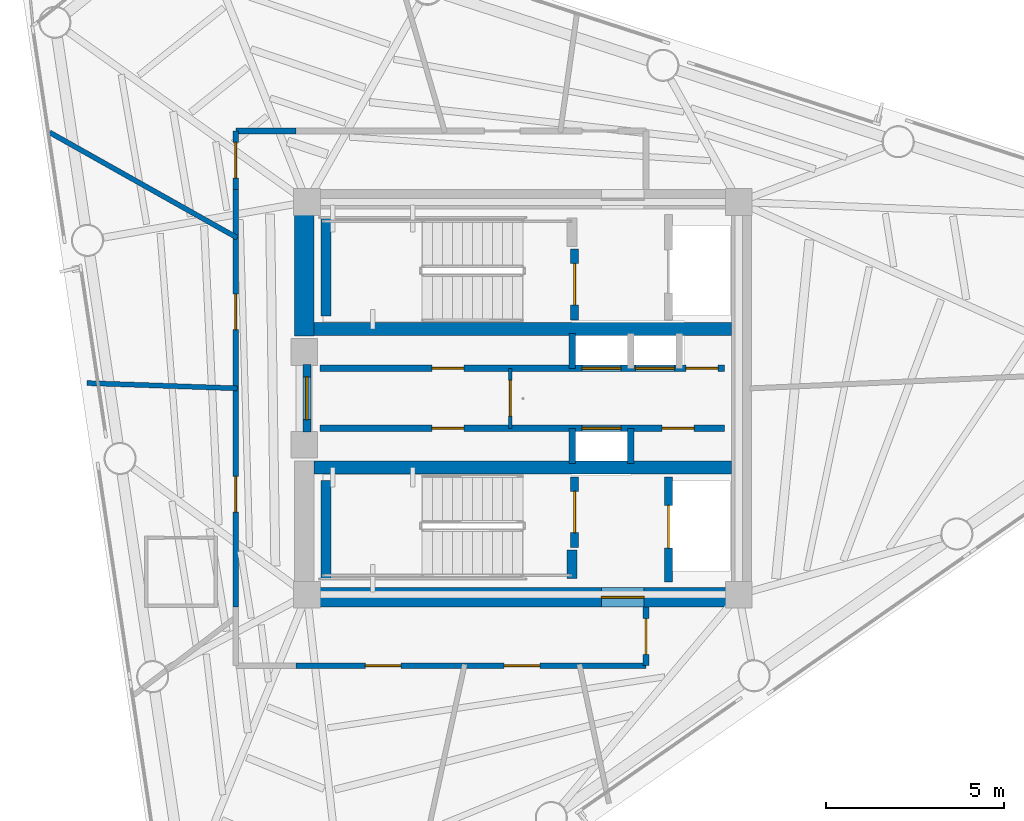
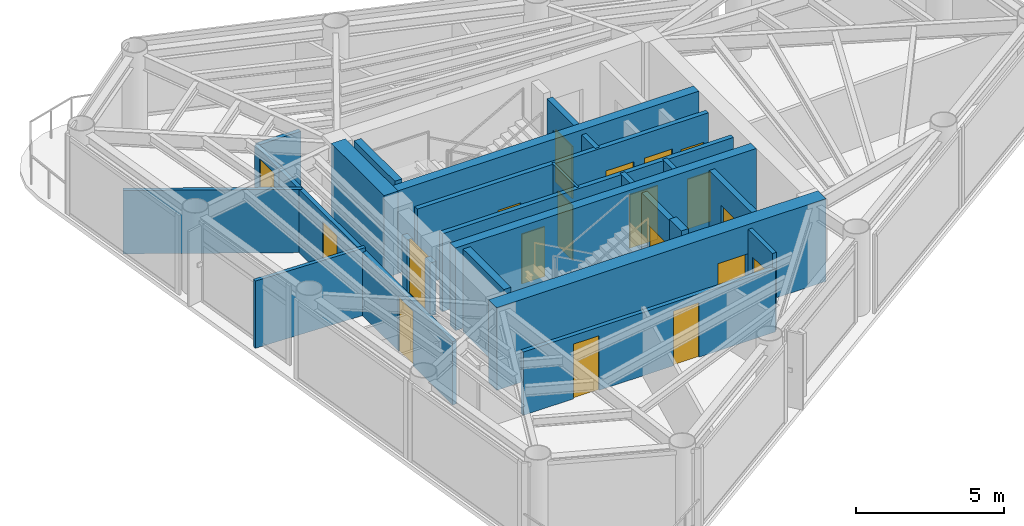
# One storey, part 5 of 9: 24 walls, 19 doors, 19 openings.
"""IFC4 building model written with IfcOpenShell, lengths in metres."""

from ifc_helpers import new_model, si_unit, direction, frame, frame_2d, origin, place, context, subcontext, project, spatial, rectangle, extrude, material, layer, layer_set, type_object, element, fill, save


model = new_model("IFC4")

# Units and contexts
model_context = context("Model", 3, precision=1e-05, world=origin(), true_north=direction((0.0, 1.0)))
body_context = subcontext(model_context, "Body", "Model", "MODEL_VIEW")
ifc_project = project(units=[si_unit("LENGTHUNIT", "METRE"), si_unit("AREAUNIT", "SQUARE_METRE"), si_unit("VOLUMEUNIT", "CUBIC_METRE"), si_unit("PLANEANGLEUNIT", "RADIAN"), si_unit("MASSUNIT", "GRAM", prefix="KILO")], contexts=[model_context])

# Site, building, storey
site_placement = place(None, origin())
site = spatial("IfcSite", under=ifc_project, at=site_placement, CompositionType="ELEMENT")
building_placement = place(site_placement, origin())
building = spatial("IfcBuilding", under=site, at=building_placement, Name="Yunling Apex Tower", CompositionType="ELEMENT")
storey_placement = place(building_placement, frame((0.0, 0.0, 264.35009765625)))
storey = spatial("IfcBuildingStorey", under=building, at=storey_placement, Name="L64", CompositionType="ELEMENT", Elevation=264.35009765625)

# Wall, opening, door
ifc_material_1 = material(Name="Concrete C40", Category="concrete")
ifc_layer_1 = layer(ifc_material_1, 0.550048828125)
ifc_layer_set_1 = layer_set([ifc_layer_1], Name="Concrete C40")
wall_type_1 = type_object("IfcWallType", Name="WL-COR-3", PredefinedType="SHEAR", material=ifc_layer_set_1)
wall_1_placement = place(storey_placement, frame((-6.39990234375, -5.574951171875, 0.0), z_axis=(0.0, 0.0, 1.0), x_axis=(1.0, 0.0, 0.0)))
wall_1 = element("IfcWall", 1, at=wall_1_placement, inside=storey, type_object=wall_type_1, Name="L64 South Core Shear Wall", PredefinedType="SHEAR", context=body_context, shape_type="SweptSolid", body=[
    extrude(rectangle(XDim=12.7998046875, YDim=0.550048828125, at=frame_2d((6.39990234375, 0.0))), origin(), (0.0, 0.0, 1.0), 3.39990234375),
])
opening_1_placement = place(wall_1_placement, frame((8.60009765625, 0.0, 0.0)))
opening_1 = element("IfcOpeningElement", 2, at=opening_1_placement, cuts=wall_1, Name="Opening DR-FFL-1", PredefinedType="OPENING", context=body_context, shape_type="SweptSolid", body=[
    extrude(rectangle(XDim=1.199951171875, YDim=2.199951171875, at=frame_2d((0.60009765625, 1.10009765625))), frame((0.0, 0.28515625, 0.0), z_axis=(0.0, -1.0, 0.0), x_axis=(1.0, 0.0, 0.0)), (0.0, 0.0, 1.0), 0.570068359375),
])
ifc_material_2 = material(Name="Steel Q355B", Category="steel")
door_type_1 = type_object("IfcDoorType", Name="DR-FFL-1", OperationType="NOTDEFINED", PredefinedType="DOOR", material=ifc_material_2)
door_1_placement = place(opening_1_placement, origin())
door_1 = element("IfcDoor", 3, at=door_1_placement, inside=storey, type_object=door_type_1, Name="L64 South Firefighting Lobby Door", OperationType="SINGLE_SWING_RIGHT", OverallHeight=2.199951171875, OverallWidth=1.199951171875, PredefinedType="DOOR", context=body_context, shape_type="SweptSolid", body=[
    extrude(rectangle(XDim=1.199951171875, YDim=2.199951171875, at=frame_2d((0.60009765625, 1.10009765625))), frame((0.0, 0.02490234375, 0.0), z_axis=(0.0, -1.0, 0.0), x_axis=(1.0, 0.0, 0.0)), (0.0, 0.0, 1.0), 0.050048828125),
])
fill(opening_1, door_1)

# Walls
wall_2_placement = place(storey_placement, frame((-6.125, 1.75, 0.0), z_axis=(0.0, 0.0, 1.0), x_axis=(0.0, 1.0, 0.0)))
element("IfcWall", 4, at=wall_2_placement, inside=storey, type_object=wall_type_1, Name="L64 West-North Core Shear Wall", PredefinedType="SHEAR", context=body_context, shape_type="SweptSolid", body=[
    extrude(rectangle(XDim=3.550048828125, YDim=0.550048828125, at=frame_2d((1.77490234375, 0.0))), origin(), (0.0, 0.0, 1.0), 3.39990234375),
])
ifc_layer_2 = layer(ifc_material_1, 0.360107421875)
ifc_layer_set_2 = layer_set([ifc_layer_2], Name="Concrete C40")
wall_type_2 = type_object("IfcWallType", Name="WL-COR-4", PredefinedType="SHEAR", material=ifc_layer_set_2)
for number, where, z_axis, x_axis, name in (
    (5, (-5.85009765625, 1.93994140625, 0.0), (0.0, 0.0, 1.0), (1.0, 0.0, 0.0), "L64 North Internal Core Shear Wall"),
    (6, (-5.85009765625, -1.93994140625, 0.0), (0.0, 0.0, 1.0), (1.0, 0.0, 0.0), "L64 South Internal Core Shear Wall"),
):
    element("IfcWall", number, at=place(storey_placement, frame(where, z_axis=z_axis, x_axis=x_axis)), inside=storey, type_object=wall_type_2, Name=name, PredefinedType="SHEAR", context=body_context, shape_type="SweptSolid", body=[
        extrude(rectangle(XDim=11.7001953125, YDim=0.360107421875, at=frame_2d((5.85009765625, 0.0))), origin(), (0.0, 0.0, 1.0), 3.39990234375),
    ])
ifc_layer_3 = layer(ifc_material_1, 0.280029296875)
ifc_layer_set_3 = layer_set([ifc_layer_3], Name="Concrete C40")
wall_type_3 = type_object("IfcWallType", Name="WL-COR-8", PredefinedType="SHEAR", material=ifc_layer_set_3)
for number, where, z_axis, x_axis, name in (
    (7, (-5.52001953125, 2.300048828125, 0.0), (0.0, 0.0, 1.0), (0.0, 1.0, 0.0), "L64 ST-1 West Landing Bearing Wall"),
    (8, (-5.52001953125, -5.050048828125, 0.0), (0.0, 0.0, 1.0), (0.0, 1.0, 0.0), "L64 ST-2 West Landing Bearing Wall"),
):
    element("IfcWall", number, at=place(storey_placement, frame(where, z_axis=z_axis, x_axis=x_axis)), inside=storey, type_object=wall_type_3, Name=name, PredefinedType="SHEAR", context=body_context, shape_type="SweptSolid", body=[
        extrude(rectangle(XDim=2.75, YDim=0.280029296875, at=frame_2d((1.375, 0.0))), origin(), (0.0, 0.0, 1.0), 3.39990234375),
    ])
wall_3_placement = place(storey_placement, frame((1.3798828125, -5.050048828125, 0.0), z_axis=(0.0, 0.0, 1.0), x_axis=(0.0, 1.0, 0.0)))
element("IfcWall", 9, at=wall_3_placement, inside=storey, type_object=wall_type_3, Name="L64 ST-2 East Landing Bearing Pier", PredefinedType="SHEAR", context=body_context, shape_type="SweptSolid", body=[
    extrude(rectangle(XDim=0.800048828125, YDim=0.280029296875, at=frame_2d((0.39990234375, 0.0))), origin(), (0.0, 0.0, 1.0), 3.39990234375),
])

# Wall, opening, door
ifc_material_3 = material(Name="Gypsum board acoustic partition")
ifc_layer_4 = layer(ifc_material_3, 0.159912109375)
ifc_layer_set_4 = layer_set([ifc_layer_4], Name="Gypsum board acoustic partition")
wall_type_4 = type_object("IfcWallType", Name="WL-PRT-1", PredefinedType="PARTITIONING", material=ifc_layer_set_4)
wall_4_placement = place(storey_placement, frame((-8.0400390625, 5.85009765625, 0.0), z_axis=(0.0, 0.0, 1.0), x_axis=(0.0, 1.0, 0.0)))
wall_4 = element("IfcWall", 10, at=wall_4_placement, inside=storey, type_object=wall_type_4, Name="WL-CORR-L64-01", PredefinedType="PARTITIONING", context=body_context, shape_type="SweptSolid", body=[
    extrude(rectangle(XDim=1.639892578125, YDim=0.159912109375, at=frame_2d((0.81982421875, 0.0))), origin(), (0.0, 0.0, 1.0), 2.60498046875),
])
opening_2_placement = place(wall_4_placement, frame((0.320068359375, 0.0, 0.0)))
opening_2 = element("IfcOpeningElement", 11, at=opening_2_placement, cuts=wall_4, Name="Opening DR-OFF-1", PredefinedType="OPENING", context=body_context, shape_type="SweptSolid", body=[
    extrude(rectangle(XDim=1.0, YDim=2.25, at=frame_2d((0.5, 1.125))), frame((0.0, 0.08984375, 0.0), z_axis=(0.0, -1.0, 0.0), x_axis=(1.0, 0.0, 0.0)), (0.0, 0.0, 1.0), 0.179931640625),
])
ifc_material_4 = material(Name="Bronze anodised aluminium", Category="aluminium")
door_type_2 = type_object("IfcDoorType", Name="DR-OFF-1", OperationType="NOTDEFINED", PredefinedType="DOOR", material=ifc_material_4)
door_2_placement = place(opening_2_placement, origin())
door_2 = element("IfcDoor", 12, at=door_2_placement, inside=storey, type_object=door_type_2, Name="L64 Residents Music Lounge Door", OperationType="SINGLE_SWING_LEFT", OverallHeight=2.25, OverallWidth=1.0, PredefinedType="DOOR", context=body_context, shape_type="SweptSolid", body=[
    extrude(rectangle(XDim=1.0, YDim=2.25, at=frame_2d((0.5, 1.125))), frame((0.0, 0.02490234375, 0.0), z_axis=(0.0, -1.0, 0.0), x_axis=(1.0, 0.0, 0.0)), (0.0, 0.0, 1.0), 0.050048828125),
])
fill(opening_2, door_2)

# Wall
wall_5_placement = place(storey_placement, frame((-8.0400390625, 7.489990234375, 0.0), z_axis=(0.0, 0.0, 1.0), x_axis=(1.0, 0.0, 0.0)))
element("IfcWall", 13, at=wall_5_placement, inside=storey, type_object=wall_type_4, Name="WL-CORR-L64-02", PredefinedType="PARTITIONING", context=body_context, shape_type="SweptSolid", body=[
    extrude(rectangle(XDim=1.679931640625, YDim=0.159912109375, at=frame_2d((0.83984375, 0.0))), origin(), (0.0, 0.0, 1.0), 2.60498046875),
])

# Wall, opening, door
wall_6_placement = place(storey_placement, frame((3.449951171875, -5.85009765625, 0.0), z_axis=(0.0, 0.0, 1.0), x_axis=(0.0, -1.0, 0.0)))
wall_6 = element("IfcWall", 14, at=wall_6_placement, inside=storey, type_object=wall_type_4, Name="WL-CORR-L64-05", PredefinedType="PARTITIONING", context=body_context, shape_type="SweptSolid", body=[
    extrude(rectangle(XDim=1.639892578125, YDim=0.159912109375, at=frame_2d((0.81982421875, 0.0))), origin(), (0.0, 0.0, 1.0), 3.199951171875),
])
opening_3_placement = place(wall_6_placement, frame((0.320068359375, 0.0, 0.0)))
opening_3 = element("IfcOpeningElement", 15, at=opening_3_placement, cuts=wall_6, Name="Opening DR-OFF-1", PredefinedType="OPENING", context=body_context, shape_type="SweptSolid", body=[
    extrude(rectangle(XDim=1.0, YDim=2.25, at=frame_2d((0.5, 1.125))), frame((0.0, 0.08984375, 0.0), z_axis=(0.0, -1.0, 0.0), x_axis=(1.0, 0.0, 0.0)), (0.0, 0.0, 1.0), 0.179931640625),
])
door_3_placement = place(opening_3_placement, origin())
door_3 = element("IfcDoor", 16, at=door_3_placement, inside=storey, type_object=door_type_2, Name="L64 Wellness Yoga Club Door", OperationType="SINGLE_SWING_RIGHT", OverallHeight=2.25, OverallWidth=1.0, PredefinedType="DOOR", context=body_context, shape_type="SweptSolid", body=[
    extrude(rectangle(XDim=1.0, YDim=2.25, at=frame_2d((0.5, 1.125))), frame((0.0, 0.02490234375, 0.0), z_axis=(0.0, -1.0, 0.0), x_axis=(1.0, 0.0, 0.0)), (0.0, 0.0, 1.0), 0.050048828125),
])
fill(opening_3, door_3)

# Wall, openings, doors
wall_7_placement = place(storey_placement, frame((3.449951171875, -7.489990234375, 0.0), z_axis=(0.0, 0.0, 1.0), x_axis=(-1.0, 0.0, 0.0)))
wall_7 = element("IfcWall", 17, at=wall_7_placement, inside=storey, type_object=wall_type_4, Name="WL-CORR-L64-06", PredefinedType="PARTITIONING", context=body_context, shape_type="SweptSolid", body=[
    extrude(rectangle(XDim=9.81005859375, YDim=0.159912109375, at=frame_2d((4.905029296875, 0.0))), origin(), (0.0, 0.0, 1.0), 2.60498046875),
])
opening_4_placement = place(wall_7_placement, frame((2.972900390625, 0.0, 0.0)))
opening_4 = element("IfcOpeningElement", 18, at=opening_4_placement, cuts=wall_7, Name="Opening DR-OFF-1", PredefinedType="OPENING", context=body_context, shape_type="SweptSolid", body=[
    extrude(rectangle(XDim=1.0, YDim=2.25, at=frame_2d((0.5, 1.125))), frame((0.0, 0.08984375, 0.0), z_axis=(0.0, -1.0, 0.0), x_axis=(1.0, 0.0, 0.0)), (0.0, 0.0, 1.0), 0.179931640625),
])
opening_5_placement = place(wall_7_placement, frame((6.864501953125, 0.0, 0.0)))
opening_5 = element("IfcOpeningElement", 19, at=opening_5_placement, cuts=wall_7, Name="Opening DR-OFF-1", PredefinedType="OPENING", context=body_context, shape_type="SweptSolid", body=[
    extrude(rectangle(XDim=1.0, YDim=2.25, at=frame_2d((0.5, 1.125))), frame((0.0, 0.08984375, 0.0), z_axis=(0.0, -1.0, 0.0), x_axis=(1.0, 0.0, 0.0)), (0.0, 0.0, 1.0), 0.179931640625),
])
door_4_placement = place(opening_4_placement, origin())
door_4 = element("IfcDoor", 20, at=door_4_placement, inside=storey, type_object=door_type_2, Name="L64 Residents Music Lounge Door", OperationType="SINGLE_SWING_LEFT", OverallHeight=2.25, OverallWidth=1.0, PredefinedType="DOOR", context=body_context, shape_type="SweptSolid", body=[
    extrude(rectangle(XDim=1.0, YDim=2.25, at=frame_2d((0.5, 1.125))), frame((0.0, 0.02490234375, 0.0), z_axis=(0.0, -1.0, 0.0), x_axis=(1.0, 0.0, 0.0)), (0.0, 0.0, 1.0), 0.050048828125),
])
fill(opening_4, door_4)
door_5_placement = place(opening_5_placement, origin())
door_5 = element("IfcDoor", 21, at=door_5_placement, inside=storey, type_object=door_type_2, Name="L64 Wellness Yoga Club Door", OperationType="SINGLE_SWING_RIGHT", OverallHeight=2.25, OverallWidth=1.0, PredefinedType="DOOR", context=body_context, shape_type="SweptSolid", body=[
    extrude(rectangle(XDim=1.0, YDim=2.25, at=frame_2d((0.5, 1.125))), frame((0.0, 0.02490234375, 0.0), z_axis=(0.0, -1.0, 0.0), x_axis=(1.0, 0.0, 0.0)), (0.0, 0.0, 1.0), 0.050048828125),
])
fill(opening_5, door_5)

wall_8_placement = place(storey_placement, frame((-8.0400390625, -5.85009765625, 0.0), z_axis=(0.0, 0.0, 1.0), x_axis=(0.0, 1.0, 0.0)))
wall_8 = element("IfcWall", 22, at=wall_8_placement, inside=storey, type_object=wall_type_4, Name="WL-CORR-L64-09", PredefinedType="PARTITIONING", context=body_context, shape_type="SweptSolid", body=[
    extrude(rectangle(XDim=11.7001953125, YDim=0.159912109375, at=frame_2d((5.85009765625, 0.0))), origin(), (0.0, 0.0, 1.0), 2.60498046875),
])
opening_6_placement = place(wall_8_placement, frame((2.660888671875, 0.0, 0.0)))
opening_6 = element("IfcOpeningElement", 23, at=opening_6_placement, cuts=wall_8, Name="Opening DR-OFF-1", PredefinedType="OPENING", context=body_context, shape_type="SweptSolid", body=[
    extrude(rectangle(XDim=1.0, YDim=2.25, at=frame_2d((0.5, 1.125))), frame((0.0, 0.08984375, 0.0), z_axis=(0.0, -1.0, 0.0), x_axis=(1.0, 0.0, 0.0)), (0.0, 0.0, 1.0), 0.179931640625),
])
opening_7_placement = place(wall_8_placement, frame((7.771484375, 0.0, 0.0)))
opening_7 = element("IfcOpeningElement", 24, at=opening_7_placement, cuts=wall_8, Name="Opening DR-OFF-1", PredefinedType="OPENING", context=body_context, shape_type="SweptSolid", body=[
    extrude(rectangle(XDim=1.0, YDim=2.25, at=frame_2d((0.5, 1.125))), frame((0.0, 0.08984375, 0.0), z_axis=(0.0, -1.0, 0.0), x_axis=(1.0, 0.0, 0.0)), (0.0, 0.0, 1.0), 0.179931640625),
])
door_6_placement = place(opening_6_placement, origin())
door_6 = element("IfcDoor", 25, at=door_6_placement, inside=storey, type_object=door_type_2, Name="L64 Residents Music Lounge Door", OperationType="SINGLE_SWING_LEFT", OverallHeight=2.25, OverallWidth=1.0, PredefinedType="DOOR", context=body_context, shape_type="SweptSolid", body=[
    extrude(rectangle(XDim=1.0, YDim=2.25, at=frame_2d((0.5, 1.125))), frame((0.0, 0.02490234375, 0.0), z_axis=(0.0, -1.0, 0.0), x_axis=(1.0, 0.0, 0.0)), (0.0, 0.0, 1.0), 0.050048828125),
])
fill(opening_6, door_6)
door_7_placement = place(opening_7_placement, origin())
door_7 = element("IfcDoor", 26, at=door_7_placement, inside=storey, type_object=door_type_2, Name="L64 Wellness Yoga Club Door", OperationType="SINGLE_SWING_RIGHT", OverallHeight=2.25, OverallWidth=1.0, PredefinedType="DOOR", context=body_context, shape_type="SweptSolid", body=[
    extrude(rectangle(XDim=1.0, YDim=2.25, at=frame_2d((0.5, 1.125))), frame((0.0, 0.02490234375, 0.0), z_axis=(0.0, -1.0, 0.0), x_axis=(1.0, 0.0, 0.0)), (0.0, 0.0, 1.0), 0.050048828125),
])
fill(opening_7, door_7)

# Walls
ifc_layer_5 = layer(ifc_material_3, 0.139892578125)
ifc_layer_set_5 = layer_set([ifc_layer_5], Name="Gypsum board acoustic partition")
wall_type_5 = type_object("IfcWallType", Name="WL-PRT-2", PredefinedType="PARTITIONING", material=ifc_layer_set_5)
wall_9_placement = place(storey_placement, frame((-8.0, 4.49560546875, 0.0), z_axis=(0.0, 0.0, 1.0), x_axis=(-0.871799326596, 0.489863179008, 0.0)))
element("IfcWall", 27, at=wall_9_placement, inside=storey, type_object=wall_type_5, Name="WL-RAD-L64-04", PredefinedType="PARTITIONING", context=body_context, shape_type="SweptSolid", body=[
    extrude(rectangle(XDim=6.028564453125, YDim=0.139892578125, at=frame_2d((3.01416015625, 0.0))), origin(), (0.0, 0.0, 1.0), 2.60498046875),
])
wall_10_placement = place(storey_placement, frame((-8.0, 0.279296875, 0.0), z_axis=(0.0, 0.0, 1.0), x_axis=(-0.999390047844, 0.034921802229, 0.0)))
element("IfcWall", 28, at=wall_10_placement, inside=storey, type_object=wall_type_5, Name="WL-RAD-L64-05", PredefinedType="PARTITIONING", context=body_context, shape_type="SweptSolid", body=[
    extrude(rectangle(XDim=4.208740234375, YDim=0.139892578125, at=frame_2d((2.1044921875, 0.0))), origin(), (0.0, 0.0, 1.0), 2.764892578125),
])

# Wall, opening, door
ifc_layer_6 = layer(ifc_material_3, 0.10009765625)
ifc_layer_set_6 = layer_set([ifc_layer_6], Name="Gypsum board acoustic partition")
wall_type_6 = type_object("IfcWallType", Name="WL-PRT-4", PredefinedType="PARTITIONING", material=ifc_layer_set_6)
wall_11_placement = place(storey_placement, frame((-0.35009765625, -0.840087890625, 0.0), z_axis=(0.0, 0.0, 1.0), x_axis=(0.0, 1.0, 0.0)))
wall_11 = element("IfcWall", 29, at=wall_11_placement, inside=storey, type_object=wall_type_6, Name="WL-LOB-MID-L64", PredefinedType="PARTITIONING", context=body_context, shape_type="SweptSolid", body=[
    extrude(rectangle(XDim=1.68017578125, YDim=0.10009765625, at=frame_2d((0.840087890625, 0.0))), origin(), (0.0, 0.0, 1.0), 3.199951171875),
])
opening_8_placement = place(wall_11_placement, frame((0.340087890625, 0.0, 0.0)))
opening_8 = element("IfcOpeningElement", 30, at=opening_8_placement, cuts=wall_11, Name="Opening DR-OFF-1", PredefinedType="OPENING", context=body_context, shape_type="SweptSolid", body=[
    extrude(rectangle(XDim=1.0, YDim=2.25, at=frame_2d((0.5, 1.125))), frame((0.0, 0.06005859375, 0.0), z_axis=(0.0, -1.0, 0.0), x_axis=(1.0, 0.0, 0.0)), (0.0, 0.0, 1.0), 0.1201171875),
])
door_8_placement = place(opening_8_placement, origin())
door_8 = element("IfcDoor", 31, at=door_8_placement, inside=storey, type_object=door_type_2, Name="L64 Core Lobby Link Door", OperationType="SINGLE_SWING_LEFT", OverallHeight=2.25, OverallWidth=1.0, PredefinedType="DOOR", context=body_context, shape_type="SweptSolid", body=[
    extrude(rectangle(XDim=1.0, YDim=2.25, at=frame_2d((0.5, 1.125))), frame((0.0, 0.02490234375, 0.0), z_axis=(0.0, -1.0, 0.0), x_axis=(1.0, 0.0, 0.0)), (0.0, 0.0, 1.0), 0.050048828125),
])
fill(opening_8, door_8)

ifc_material_5 = material(Name="Autoclaved aerated concrete masonry", Category="masonry")
ifc_layer_7 = layer(ifc_material_5, 0.219970703125)
ifc_layer_set_7 = layer_set([ifc_layer_7], Name="Autoclaved aerated concrete masonry")
wall_type_7 = type_object("IfcWallType", Name="WL-SHF-1", PredefinedType="PLUMBINGWALL", material=ifc_layer_set_7)
wall_12_placement = place(storey_placement, frame((-6.050048828125, -0.949951171875, 0.0), z_axis=(0.0, 0.0, 1.0), x_axis=(0.0, 1.0, 0.0)))
wall_12 = element("IfcWall", 32, at=wall_12_placement, inside=storey, type_object=wall_type_7, Name="WL-COR-WPORT-L64", PredefinedType="PLUMBINGWALL", context=body_context, shape_type="SweptSolid", body=[
    extrude(rectangle(XDim=1.89990234375, YDim=0.219970703125, at=frame_2d((0.949951171875, 0.0))), origin(), (0.0, 0.0, 1.0), 2.179931640625),
])
opening_9_placement = place(wall_12_placement, frame((0.35009765625, 0.0, 0.0)))
opening_9 = element("IfcOpeningElement", 33, at=opening_9_placement, cuts=wall_12, Name="Opening DR-FFL-1", PredefinedType="OPENING", context=body_context, shape_type="SweptSolid", body=[
    extrude(rectangle(XDim=1.199951171875, YDim=2.199951171875, at=frame_2d((0.60009765625, 1.10009765625))), frame((0.0, 0.1201171875, 0.0), z_axis=(0.0, -1.0, 0.0), x_axis=(1.0, 0.0, 0.0)), (0.0, 0.0, 1.0), 0.239990234375),
])
door_9_placement = place(opening_9_placement, origin())
door_9 = element("IfcDoor", 34, at=door_9_placement, inside=storey, type_object=door_type_1, Name="L64 Passenger Lift Lobby Entrance Door", OperationType="SINGLE_SWING_LEFT", OverallHeight=2.199951171875, OverallWidth=1.199951171875, PredefinedType="DOOR", context=body_context, shape_type="SweptSolid", body=[
    extrude(rectangle(XDim=1.199951171875, YDim=2.199951171875, at=frame_2d((0.60009765625, 1.10009765625))), frame((0.0, 0.02490234375, 0.0), z_axis=(0.0, -1.0, 0.0), x_axis=(1.0, 0.0, 0.0)), (0.0, 0.0, 1.0), 0.050048828125),
])
fill(opening_9, door_9)

wall_13_placement = place(storey_placement, frame((1.449951171875, 2.199951171875, 0.0), z_axis=(0.0, 0.0, 1.0), x_axis=(0.0, 1.0, 0.0)))
wall_13 = element("IfcWall", 35, at=wall_13_placement, inside=storey, type_object=wall_type_7, Name="WL-ST1-E-L64", PredefinedType="PLUMBINGWALL", context=body_context, shape_type="SweptSolid", body=[
    extrude(rectangle(XDim=1.97998046875, YDim=0.219970703125, at=frame_2d((0.989990234375, 0.0))), origin(), (0.0, 0.0, 1.0), 3.199951171875),
])
opening_10_placement = place(wall_13_placement, frame((0.419921875, 0.0, 0.0)))
opening_10 = element("IfcOpeningElement", 36, at=opening_10_placement, cuts=wall_13, Name="Opening DR-ST-1", PredefinedType="OPENING", context=body_context, shape_type="SweptSolid", body=[
    extrude(rectangle(XDim=1.14990234375, YDim=2.14990234375, at=frame_2d((0.574951171875, 1.074951171875))), frame((0.0, 0.1201171875, 0.0), z_axis=(0.0, -1.0, 0.0), x_axis=(1.0, 0.0, 0.0)), (0.0, 0.0, 1.0), 0.239990234375),
])
door_type_3 = type_object("IfcDoorType", Name="DR-ST-1", OperationType="NOTDEFINED", PredefinedType="DOOR", material=ifc_material_2)
door_10_placement = place(opening_10_placement, origin())
door_10 = element("IfcDoor", 37, at=door_10_placement, inside=storey, type_object=door_type_3, Name="L64 Stair ST-1 Fire Door", OperationType="SINGLE_SWING_LEFT", OverallHeight=2.14990234375, OverallWidth=1.14990234375, PredefinedType="DOOR", context=body_context, shape_type="SweptSolid", body=[
    extrude(rectangle(XDim=1.14990234375, YDim=2.14990234375, at=frame_2d((0.574951171875, 1.074951171875))), frame((0.0, 0.02490234375, 0.0), z_axis=(0.0, -1.0, 0.0), x_axis=(1.0, 0.0, 0.0)), (0.0, 0.0, 1.0), 0.050048828125),
])
fill(opening_10, door_10)

wall_14_placement = place(storey_placement, frame((1.449951171875, -4.179931640625, 0.0), z_axis=(0.0, 0.0, 1.0), x_axis=(0.0, 1.0, 0.0)))
wall_14 = element("IfcWall", 38, at=wall_14_placement, inside=storey, type_object=wall_type_7, Name="WL-ST2-E-L64", PredefinedType="PLUMBINGWALL", context=body_context, shape_type="SweptSolid", body=[
    extrude(rectangle(XDim=1.97998046875, YDim=0.219970703125, at=frame_2d((0.989990234375, 0.0))), origin(), (0.0, 0.0, 1.0), 3.199951171875),
])
opening_11_placement = place(wall_14_placement, frame((0.419921875, 0.0, 0.0)))
opening_11 = element("IfcOpeningElement", 39, at=opening_11_placement, cuts=wall_14, Name="Opening DR-ST-1", PredefinedType="OPENING", context=body_context, shape_type="SweptSolid", body=[
    extrude(rectangle(XDim=1.14990234375, YDim=2.14990234375, at=frame_2d((0.574951171875, 1.074951171875))), frame((0.0, 0.1201171875, 0.0), z_axis=(0.0, -1.0, 0.0), x_axis=(1.0, 0.0, 0.0)), (0.0, 0.0, 1.0), 0.239990234375),
])
door_11_placement = place(opening_11_placement, origin())
door_11 = element("IfcDoor", 40, at=door_11_placement, inside=storey, type_object=door_type_3, Name="L64 Stair ST-2 Fire Door", OperationType="SINGLE_SWING_RIGHT", OverallHeight=2.14990234375, OverallWidth=1.14990234375, PredefinedType="DOOR", context=body_context, shape_type="SweptSolid", body=[
    extrude(rectangle(XDim=1.14990234375, YDim=2.14990234375, at=frame_2d((0.574951171875, 1.074951171875))), frame((0.0, 0.02490234375, 0.0), z_axis=(0.0, -1.0, 0.0), x_axis=(1.0, 0.0, 0.0)), (0.0, 0.0, 1.0), 0.050048828125),
])
fill(opening_11, door_11)

wall_15_placement = place(storey_placement, frame((4.080078125, -5.14990234375, 0.0), z_axis=(0.0, 0.0, 1.0), x_axis=(0.0, 1.0, 0.0)))
wall_15 = element("IfcWall", 41, at=wall_15_placement, inside=storey, type_object=wall_type_7, Name="WL-FFL2-W-L64", PredefinedType="PLUMBINGWALL", context=body_context, shape_type="SweptSolid", body=[
    extrude(rectangle(XDim=2.949951171875, YDim=0.219970703125, at=frame_2d((1.47509765625, 0.0))), origin(), (0.0, 0.0, 1.0), 3.199951171875),
])
opening_12_placement = place(wall_15_placement, frame((0.949951171875, 0.0, 0.0)))
opening_12 = element("IfcOpeningElement", 42, at=opening_12_placement, cuts=wall_15, Name="Opening LD-FFL-1", PredefinedType="OPENING", context=body_context, shape_type="SweptSolid", body=[
    extrude(rectangle(XDim=1.199951171875, YDim=2.25, at=frame_2d((0.60009765625, 1.125))), frame((0.0, 0.1201171875, 0.0), z_axis=(0.0, -1.0, 0.0), x_axis=(1.0, 0.0, 0.0)), (0.0, 0.0, 1.0), 0.239990234375),
])
door_type_4 = type_object("IfcDoorType", Name="LD-FFL-1", OperationType="DOUBLE_DOOR_SLIDING", PredefinedType="DOOR", material=ifc_material_2)
door_12_placement = place(opening_12_placement, origin())
door_12 = element("IfcDoor", 43, at=door_12_placement, inside=storey, type_object=door_type_4, Name="L64 Lift FFL-2 Landing Door", OperationType="DOUBLE_DOOR_SLIDING", OverallHeight=2.25, OverallWidth=1.199951171875, PredefinedType="DOOR", context=body_context, shape_type="SweptSolid", body=[
    extrude(rectangle(XDim=1.199951171875, YDim=2.25, at=frame_2d((0.60009765625, 1.125))), frame((0.0, 0.02490234375, 0.0), z_axis=(0.0, -1.0, 0.0), x_axis=(1.0, 0.0, 0.0)), (0.0, 0.0, 1.0), 0.050048828125),
])
fill(opening_12, door_12)

# Walls
ifc_layer_8 = layer(ifc_material_5, 0.179931640625)
ifc_layer_set_8 = layer_set([ifc_layer_8], Name="Autoclaved aerated concrete masonry")
wall_type_8 = type_object("IfcWallType", Name="WL-SHF-2", PredefinedType="PLUMBINGWALL", material=ifc_layer_set_8)
for number, where, z_axis, x_axis, name in (
    (44, (1.3798828125, 0.840087890625, 0.0), (0.0, 0.0, 1.0), (0.0, 1.0, 0.0), "WL-BNK-MH-N-L64"),
    (45, (1.3798828125, -1.820068359375, 0.0), (0.0, 0.0, 1.0), (0.0, 1.0, 0.0), "WL-BNK-MH-S-L64"),
    (46, (3.02001953125, -1.820068359375, 0.0), (0.0, 0.0, 1.0), (0.0, 1.0, 0.0), "WL-END-H2E-L64"),
):
    element("IfcWall", number, at=place(storey_placement, frame(where, z_axis=z_axis, x_axis=x_axis)), inside=storey, type_object=wall_type_8, Name=name, PredefinedType="PLUMBINGWALL", context=body_context, shape_type="SweptSolid", body=[
        extrude(rectangle(XDim=0.97998046875, YDim=0.179931640625, at=frame_2d((0.489990234375, 0.0))), origin(), (0.0, 0.0, 1.0), 3.199951171875),
    ])

# Wall, openings, doors
wall_16_placement = place(storey_placement, frame((-5.679931640625, 0.840087890625, 0.0), z_axis=(0.0, 0.0, 1.0), x_axis=(1.0, 0.0, 0.0)))
wall_16 = element("IfcWall", 47, at=wall_16_placement, inside=storey, type_object=wall_type_8, Name="WL-LOB-N-L64", PredefinedType="PLUMBINGWALL", context=body_context, shape_type="SweptSolid", body=[
    extrude(rectangle(XDim=11.329833984375, YDim=0.179931640625, at=frame_2d((5.6650390625, 0.0))), origin(), (0.0, 0.0, 1.0), 3.199951171875),
])
opening_13_placement = place(wall_16_placement, frame((3.1298828125, 0.0, 0.0)))
opening_13 = element("IfcOpeningElement", 48, at=opening_13_placement, cuts=wall_16, Name="Opening DR-SHF-1", PredefinedType="OPENING", context=body_context, shape_type="SweptSolid", body=[
    extrude(rectangle(XDim=0.89990234375, YDim=2.050048828125, at=frame_2d((0.449951171875, 1.02490234375))), frame((0.0, 0.10009765625, 0.0), z_axis=(0.0, -1.0, 0.0), x_axis=(1.0, 0.0, 0.0)), (0.0, 0.0, 1.0), 0.199951171875),
])
opening_14_placement = place(wall_16_placement, frame((7.330078125, 0.0, 0.0)))
opening_14 = element("IfcOpeningElement", 49, at=opening_14_placement, cuts=wall_16, Name="Opening LD-PAS-1", PredefinedType="OPENING", context=body_context, shape_type="SweptSolid", body=[
    extrude(rectangle(XDim=1.10009765625, YDim=2.199951171875, at=frame_2d((0.550048828125, 1.10009765625))), frame((0.0, 0.10009765625, 0.0), z_axis=(0.0, -1.0, 0.0), x_axis=(1.0, 0.0, 0.0)), (0.0, 0.0, 1.0), 0.199951171875),
])
opening_15_placement = place(wall_16_placement, frame((8.830078125, 0.0, 0.0)))
opening_15 = element("IfcOpeningElement", 50, at=opening_15_placement, cuts=wall_16, Name="Opening LD-PAS-1", PredefinedType="OPENING", context=body_context, shape_type="SweptSolid", body=[
    extrude(rectangle(XDim=1.10009765625, YDim=2.199951171875, at=frame_2d((0.550048828125, 1.10009765625))), frame((0.0, 0.10009765625, 0.0), z_axis=(0.0, -1.0, 0.0), x_axis=(1.0, 0.0, 0.0)), (0.0, 0.0, 1.0), 0.199951171875),
])
opening_16_placement = place(wall_16_placement, frame((10.25, 0.0, 0.0)))
opening_16 = element("IfcOpeningElement", 51, at=opening_16_placement, cuts=wall_16, Name="Opening DR-SHF-1", PredefinedType="OPENING", context=body_context, shape_type="SweptSolid", body=[
    extrude(rectangle(XDim=0.89990234375, YDim=2.050048828125, at=frame_2d((0.449951171875, 1.02490234375))), frame((0.0, 0.10009765625, 0.0), z_axis=(0.0, -1.0, 0.0), x_axis=(1.0, 0.0, 0.0)), (0.0, 0.0, 1.0), 0.199951171875),
])
door_type_5 = type_object("IfcDoorType", Name="DR-SHF-1", OperationType="NOTDEFINED", PredefinedType="DOOR", material=ifc_material_2)
door_13_placement = place(opening_13_placement, origin())
door_13 = element("IfcDoor", 52, at=door_13_placement, inside=storey, type_object=door_type_5, Name="L64 Data Plant Door", OperationType="SINGLE_SWING_RIGHT", OverallHeight=2.050048828125, OverallWidth=0.89990234375, PredefinedType="DOOR", context=body_context, shape_type="SweptSolid", body=[
    extrude(rectangle(XDim=0.89990234375, YDim=2.050048828125, at=frame_2d((0.449951171875, 1.02490234375))), frame((0.0, 0.02490234375, 0.0), z_axis=(0.0, -1.0, 0.0), x_axis=(1.0, 0.0, 0.0)), (0.0, 0.0, 1.0), 0.050048828125),
])
fill(opening_13, door_13)
door_14_placement = place(opening_16_placement, origin())
door_14 = element("IfcDoor", 53, at=door_14_placement, inside=storey, type_object=door_type_5, Name="L64 Core Janitor Closet Door", OperationType="SINGLE_SWING_LEFT", OverallHeight=2.050048828125, OverallWidth=0.89990234375, PredefinedType="DOOR", context=body_context, shape_type="SweptSolid", body=[
    extrude(rectangle(XDim=0.89990234375, YDim=2.050048828125, at=frame_2d((0.449951171875, 1.02490234375))), frame((0.0, 0.02490234375, 0.0), z_axis=(0.0, -1.0, 0.0), x_axis=(1.0, 0.0, 0.0)), (0.0, 0.0, 1.0), 0.050048828125),
])
fill(opening_16, door_14)
ifc_material_6 = material(Name="Silver anodised aluminium", Category="aluminium")
door_type_6 = type_object("IfcDoorType", Name="LD-PAS-1", OperationType="DOUBLE_DOOR_SLIDING", PredefinedType="DOOR", material=ifc_material_6)
door_15_placement = place(opening_14_placement, origin())
door_15 = element("IfcDoor", 54, at=door_15_placement, inside=storey, type_object=door_type_6, Name="L64 Lift PL-H1 Landing Door", OperationType="DOUBLE_DOOR_SLIDING", OverallHeight=2.199951171875, OverallWidth=1.10009765625, PredefinedType="DOOR", context=body_context, shape_type="SweptSolid", body=[
    extrude(rectangle(XDim=1.10009765625, YDim=2.199951171875, at=frame_2d((0.550048828125, 1.10009765625))), frame((0.0, 0.02490234375, 0.0), z_axis=(0.0, -1.0, 0.0), x_axis=(1.0, 0.0, 0.0)), (0.0, 0.0, 1.0), 0.050048828125),
])
fill(opening_14, door_15)
door_16_placement = place(opening_15_placement, origin())
door_16 = element("IfcDoor", 55, at=door_16_placement, inside=storey, type_object=door_type_6, Name="L64 Lift PL-H3 Landing Door", OperationType="DOUBLE_DOOR_SLIDING", OverallHeight=2.199951171875, OverallWidth=1.10009765625, PredefinedType="DOOR", context=body_context, shape_type="SweptSolid", body=[
    extrude(rectangle(XDim=1.10009765625, YDim=2.199951171875, at=frame_2d((0.550048828125, 1.10009765625))), frame((0.0, 0.02490234375, 0.0), z_axis=(0.0, -1.0, 0.0), x_axis=(1.0, 0.0, 0.0)), (0.0, 0.0, 1.0), 0.050048828125),
])
fill(opening_15, door_16)

wall_17_placement = place(storey_placement, frame((-5.679931640625, -0.840087890625, 0.0), z_axis=(0.0, 0.0, 1.0), x_axis=(1.0, 0.0, 0.0)))
wall_17 = element("IfcWall", 56, at=wall_17_placement, inside=storey, type_object=wall_type_8, Name="WL-LOB-S-L64", PredefinedType="PLUMBINGWALL", context=body_context, shape_type="SweptSolid", body=[
    extrude(rectangle(XDim=11.329833984375, YDim=0.179931640625, at=frame_2d((5.6650390625, 0.0))), origin(), (0.0, 0.0, 1.0), 3.199951171875),
])
opening_17_placement = place(wall_17_placement, frame((3.1298828125, 0.0, 0.0)))
opening_17 = element("IfcOpeningElement", 57, at=opening_17_placement, cuts=wall_17, Name="Opening DR-SHF-1", PredefinedType="OPENING", context=body_context, shape_type="SweptSolid", body=[
    extrude(rectangle(XDim=0.89990234375, YDim=2.050048828125, at=frame_2d((0.449951171875, 1.02490234375))), frame((0.0, 0.10009765625, 0.0), z_axis=(0.0, -1.0, 0.0), x_axis=(1.0, 0.0, 0.0)), (0.0, 0.0, 1.0), 0.199951171875),
])
opening_18_placement = place(wall_17_placement, frame((7.330078125, 0.0, 0.0)))
opening_18 = element("IfcOpeningElement", 58, at=opening_18_placement, cuts=wall_17, Name="Opening LD-PAS-1", PredefinedType="OPENING", context=body_context, shape_type="SweptSolid", body=[
    extrude(rectangle(XDim=1.10009765625, YDim=2.199951171875, at=frame_2d((0.550048828125, 1.10009765625))), frame((0.0, 0.10009765625, 0.0), z_axis=(0.0, -1.0, 0.0), x_axis=(1.0, 0.0, 0.0)), (0.0, 0.0, 1.0), 0.199951171875),
])
opening_19_placement = place(wall_17_placement, frame((9.580078125, 0.0, 0.0)))
opening_19 = element("IfcOpeningElement", 59, at=opening_19_placement, cuts=wall_17, Name="Opening DR-SHF-1", PredefinedType="OPENING", context=body_context, shape_type="SweptSolid", body=[
    extrude(rectangle(XDim=0.89990234375, YDim=2.050048828125, at=frame_2d((0.449951171875, 1.02490234375))), frame((0.0, 0.10009765625, 0.0), z_axis=(0.0, -1.0, 0.0), x_axis=(1.0, 0.0, 0.0)), (0.0, 0.0, 1.0), 0.199951171875),
])
door_17_placement = place(opening_17_placement, origin())
door_17 = element("IfcDoor", 60, at=door_17_placement, inside=storey, type_object=door_type_5, Name="L64 Housekeeping Store Door", OperationType="SINGLE_SWING_RIGHT", OverallHeight=2.050048828125, OverallWidth=0.89990234375, PredefinedType="DOOR", context=body_context, shape_type="SweptSolid", body=[
    extrude(rectangle(XDim=0.89990234375, YDim=2.050048828125, at=frame_2d((0.449951171875, 1.02490234375))), frame((0.0, 0.02490234375, 0.0), z_axis=(0.0, -1.0, 0.0), x_axis=(1.0, 0.0, 0.0)), (0.0, 0.0, 1.0), 0.050048828125),
])
fill(opening_17, door_17)
door_18_placement = place(opening_19_placement, origin())
door_18 = element("IfcDoor", 61, at=door_18_placement, inside=storey, type_object=door_type_5, Name="L64 Core MEP Service Door", OperationType="SINGLE_SWING_LEFT", OverallHeight=2.050048828125, OverallWidth=0.89990234375, PredefinedType="DOOR", context=body_context, shape_type="SweptSolid", body=[
    extrude(rectangle(XDim=0.89990234375, YDim=2.050048828125, at=frame_2d((0.449951171875, 1.02490234375))), frame((0.0, 0.02490234375, 0.0), z_axis=(0.0, -1.0, 0.0), x_axis=(1.0, 0.0, 0.0)), (0.0, 0.0, 1.0), 0.050048828125),
])
fill(opening_19, door_18)
door_19_placement = place(opening_18_placement, origin())
door_19 = element("IfcDoor", 62, at=door_19_placement, inside=storey, type_object=door_type_6, Name="L64 Lift PL-H2 Landing Door", OperationType="DOUBLE_DOOR_SLIDING", OverallHeight=2.199951171875, OverallWidth=1.10009765625, PredefinedType="DOOR", context=body_context, shape_type="SweptSolid", body=[
    extrude(rectangle(XDim=1.10009765625, YDim=2.199951171875, at=frame_2d((0.550048828125, 1.10009765625))), frame((0.0, 0.02490234375, 0.0), z_axis=(0.0, -1.0, 0.0), x_axis=(1.0, 0.0, 0.0)), (0.0, 0.0, 1.0), 0.050048828125),
])
fill(opening_18, door_19)

save(model, "model.ifc")
